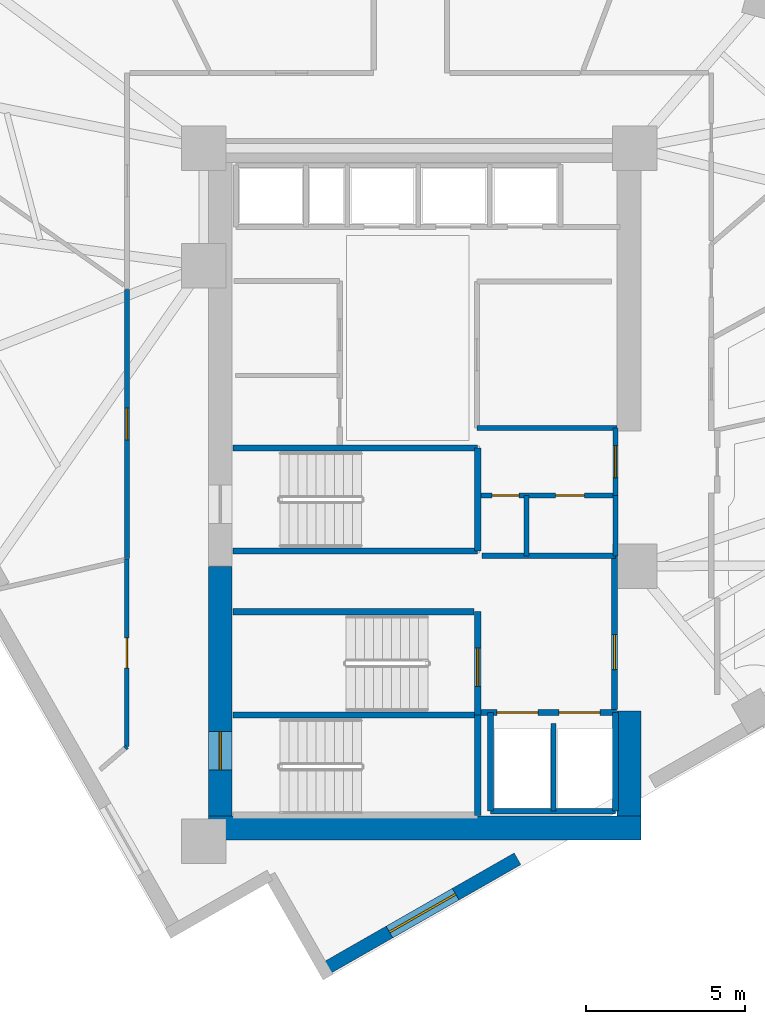
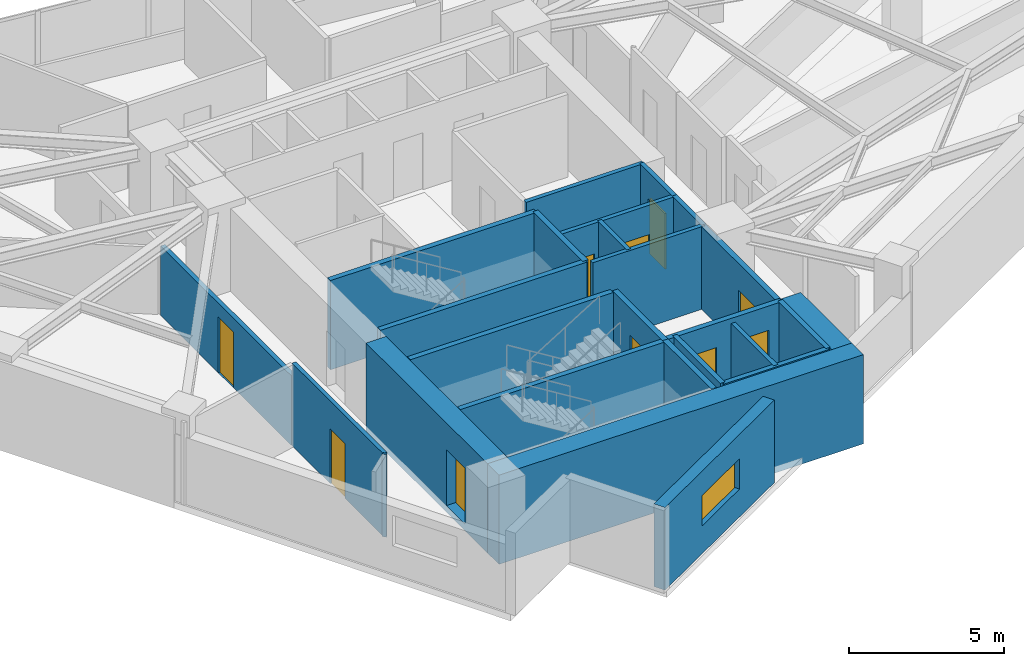
# One storey, part 9 of 14: 26 walls, 10 doors, 1 window, 11 openings.
"""IFC4 building model written with IfcOpenShell, lengths in metres."""

from ifc_helpers import new_model, si_unit, direction, frame, frame_2d, origin, place, context, subcontext, project, spatial, rectangle, extrude, material, layer, layer_set, type_object, element, fill, save


model = new_model("IFC4")

# Units and contexts
model_context = context("Model", 3, precision=1e-05, world=origin(), true_north=direction((0.0, 1.0)))
body_context = subcontext(model_context, "Body", "Model", "MODEL_VIEW")
ifc_project = project(units=[si_unit("LENGTHUNIT", "METRE"), si_unit("AREAUNIT", "SQUARE_METRE"), si_unit("VOLUMEUNIT", "CUBIC_METRE"), si_unit("PLANEANGLEUNIT", "RADIAN"), si_unit("MASSUNIT", "GRAM", prefix="KILO")], contexts=[model_context])

# Site, building, storey
site_placement = place(None, origin())
site = spatial("IfcSite", under=ifc_project, at=site_placement, CompositionType="ELEMENT")
building_placement = place(site_placement, origin())
building = spatial("IfcBuilding", under=site, at=building_placement, Name="Narakoshi Arena Tower", CompositionType="ELEMENT")
storey_placement = place(building_placement, frame((0.0, 0.0, 214.97998046875)))
storey = spatial("IfcBuildingStorey", under=building, at=storey_placement, Name="L58", CompositionType="ELEMENT", Elevation=214.97998046875)

# Wall, opening, door
ifc_material_1 = material(Name="Concrete C50/60", Category="concrete")
ifc_layer_1 = layer(ifc_material_1, 0.75)
ifc_layer_set_1 = layer_set([ifc_layer_1], Name="Concrete C50/60")
wall_type_1 = type_object("IfcWallType", Name="WL-CORE-750", PredefinedType="SHEAR", material=ifc_layer_set_1)
wall_1_placement = place(storey_placement, frame((72.52490234375, 35.5, -0.260009765625), z_axis=(0.0, 0.0, 1.0), x_axis=(0.0, 1.0, 0.0)))
wall_1 = element("IfcWall", 1, at=wall_1_placement, inside=storey, type_object=wall_type_1, Name="L58 Central Core Shear Wall CW-APX-W", PredefinedType="SHEAR", context=body_context, shape_type="SweptSolid", body=[
    extrude(rectangle(XDim=7.85009765625, YDim=0.75, at=frame_2d((3.925048828125, 0.0))), origin(), (0.0, 0.0, 1.0), 3.52001953125),
])
opening_1_placement = place(wall_1_placement, frame((1.449951171875, 0.0, 0.260009765625)))
opening_1 = element("IfcOpeningElement", 2, at=opening_1_placement, cuts=wall_1, Name="Opening D-03", PredefinedType="OPENING", context=body_context, shape_type="SweptSolid", body=[
    extrude(rectangle(XDim=1.199951171875, YDim=2.199951171875, at=frame_2d((0.60009765625, 1.10009765625))), frame((0.0, 0.385009765625, 0.0), z_axis=(0.0, -1.0, 0.0), x_axis=(1.0, 0.0, 0.0)), (0.0, 0.0, 1.0), 0.77001953125),
])
ifc_material_2 = material(Name="Painted galvanized steel", Category="steel")
door_type_1 = type_object("IfcDoorType", Name="DR-STR-1200", OperationType="NOTDEFINED", PredefinedType="USERDEFINED", material=ifc_material_2)
door_1_placement = place(opening_1_placement, frame((1.199951171875, 0.0, 0.0), z_axis=(0.0, 0.0, 1.0), x_axis=(-1.0, 0.0, 0.0)))
door_1 = element("IfcDoor", 3, at=door_1_placement, inside=storey, type_object=door_type_1, Name="DR-L58-001", ObjectType="EXITDOOR", OperationType="SINGLE_SWING_LEFT", OverallHeight=2.199951171875, OverallWidth=1.199951171875, PredefinedType="USERDEFINED", context=body_context, shape_type="SweptSolid", body=[
    extrude(rectangle(XDim=1.199951171875, YDim=2.199951171875, at=frame_2d((0.60009765625, 1.10009765625))), frame((0.0, 0.02490234375, 0.0), z_axis=(0.0, -1.0, 0.0), x_axis=(1.0, 0.0, 0.0)), (0.0, 0.0, 1.0), 0.050048828125),
])
fill(opening_1, door_1)

# Walls
wall_2_placement = place(storey_placement, frame((72.14990234375, 35.125, -0.260009765625), z_axis=(0.0, 0.0, 1.0), x_axis=(1.0, 0.0, 0.0)))
element("IfcWall", 4, at=wall_2_placement, inside=storey, type_object=wall_type_1, Name="L58 Central Core Shear Wall CW-APX-S", PredefinedType="SHEAR", context=body_context, shape_type="SweptSolid", body=[
    extrude(rectangle(XDim=13.60009765625, YDim=0.75, at=frame_2d((6.800048828125, 0.0))), origin(), (0.0, 0.0, 1.0), 3.52001953125),
])
wall_3_placement = place(storey_placement, frame((85.375, 35.5, -0.260009765625), z_axis=(0.0, 0.0, 1.0), x_axis=(0.0, 1.0, 0.0)))
element("IfcWall", 5, at=wall_3_placement, inside=storey, type_object=wall_type_1, Name="L58 Central Core Shear Wall CW-APX-E", PredefinedType="SHEAR", context=body_context, shape_type="SweptSolid", body=[
    extrude(rectangle(XDim=3.300048828125, YDim=0.75, at=frame_2d((1.64990234375, 0.0))), origin(), (0.0, 0.0, 1.0), 3.52001953125),
])

# Wall, opening, door
ifc_material_3 = material(Name="Gypsum plasterboard fire-rated partition")
ifc_layer_2 = layer(ifc_material_3, 0.1650390625)
ifc_layer_set_2 = layer_set([ifc_layer_2], Name="Gypsum plasterboard fire-rated partition")
wall_type_2 = type_object("IfcWallType", Name="WL-CORR-165", PredefinedType="PARTITIONING", material=ifc_layer_set_2)
wall_4_placement = place(storey_placement, frame((84.949951171875, 45.580078125, 0.0), z_axis=(0.0, 0.0, 1.0), x_axis=(0.0, 1.0, 0.0)))
wall_4 = element("IfcWall", 6, at=wall_4_placement, inside=storey, type_object=wall_type_2, Name="L58 Core Wall CPAS-E", PredefinedType="PARTITIONING", context=body_context, shape_type="SweptSolid", body=[
    extrude(rectangle(XDim=2.119873046875, YDim=0.1650390625, at=frame_2d((1.06005859375, 0.0))), origin(), (0.0, 0.0, 1.0), 3.260009765625),
])
opening_2_placement = place(wall_4_placement, frame((0.56005859375, 0.0, 0.0)))
opening_2 = element("IfcOpeningElement", 7, at=opening_2_placement, cuts=wall_4, Name="Opening D-06", PredefinedType="OPENING", context=body_context, shape_type="SweptSolid", body=[
    extrude(rectangle(XDim=1.0, YDim=2.199951171875, at=frame_2d((0.5, 1.10009765625))), frame((0.0, 0.092529296875, 0.0), z_axis=(0.0, -1.0, 0.0), x_axis=(1.0, 0.0, 0.0)), (0.0, 0.0, 1.0), 0.18505859375),
])
ifc_material_4 = material(Name="Stained oak solid-core timber", Category="wood")
door_type_2 = type_object("IfcDoorType", Name="DR-OFF-1000", OperationType="NOTDEFINED", PredefinedType="DOOR", material=ifc_material_4)
door_2_placement = place(opening_2_placement, frame((1.0, 0.0, 0.0), z_axis=(0.0, 0.0, 1.0), x_axis=(-1.0, 0.0, 0.0)))
door_2 = element("IfcDoor", 8, at=door_2_placement, inside=storey, type_object=door_type_2, Name="DR-L58-007", OperationType="SINGLE_SWING_LEFT", OverallHeight=2.199951171875, OverallWidth=1.0, PredefinedType="DOOR", context=body_context, shape_type="SweptSolid", body=[
    extrude(rectangle(XDim=1.0, YDim=2.199951171875, at=frame_2d((0.5, 1.10009765625))), frame((0.0, 0.02490234375, 0.0), z_axis=(0.0, -1.0, 0.0), x_axis=(1.0, 0.0, 0.0)), (0.0, 0.0, 1.0), 0.050048828125),
])
fill(opening_2, door_2)

wall_5_placement = place(storey_placement, frame((69.588623046875, 52.047119140625, 0.0), z_axis=(0.0, 0.0, 1.0), x_axis=(0.0, -1.0, 0.0)))
wall_5 = element("IfcWall", 9, at=wall_5_placement, inside=storey, type_object=wall_type_2, Name="L58 Corridor Partition 08-1", PredefinedType="PARTITIONING", context=body_context, shape_type="SweptSolid", body=[
    extrude(rectangle(XDim=8.45166015625, YDim=0.1650390625, at=frame_2d((4.225830078125, 0.0))), origin(), (0.0, 0.0, 1.0), 2.7451171875),
])
opening_3_placement = place(wall_5_placement, frame((3.725830078125, 0.0, 0.0)))
opening_3 = element("IfcOpeningElement", 10, at=opening_3_placement, cuts=wall_5, Name="Opening D-06", PredefinedType="OPENING", context=body_context, shape_type="SweptSolid", body=[
    extrude(rectangle(XDim=1.0, YDim=2.199951171875, at=frame_2d((0.5, 1.10009765625))), frame((0.0, 0.092529296875, 0.0), z_axis=(0.0, -1.0, 0.0), x_axis=(1.0, 0.0, 0.0)), (0.0, 0.0, 1.0), 0.18505859375),
])
door_3_placement = place(opening_3_placement, frame((1.0, 0.0, 0.0), z_axis=(0.0, 0.0, 1.0), x_axis=(-1.0, 0.0, 0.0)))
door_3 = element("IfcDoor", 11, at=door_3_placement, inside=storey, type_object=door_type_2, Name="DR-L58-023", OperationType="SINGLE_SWING_LEFT", OverallHeight=2.199951171875, OverallWidth=1.0, PredefinedType="DOOR", context=body_context, shape_type="SweptSolid", body=[
    extrude(rectangle(XDim=1.0, YDim=2.199951171875, at=frame_2d((0.5, 1.10009765625))), frame((0.0, 0.02490234375, 0.0), z_axis=(0.0, -1.0, 0.0), x_axis=(1.0, 0.0, 0.0)), (0.0, 0.0, 1.0), 0.050048828125),
])
fill(opening_3, door_3)

# Wall, opening, window
ifc_material_5 = material(Name="Precast concrete C45/55", Category="concrete")
ifc_layer_3 = layer(ifc_material_5, 0.419921875)
ifc_layer_set_3 = layer_set([ifc_layer_3], Name="Precast concrete C45/55")
wall_type_3 = type_object("IfcWallType", Name="WL-POD-420", PredefinedType="SOLIDWALL", material=ifc_layer_set_3)
wall_6_placement = place(storey_placement, frame((75.779296875, 30.6689453125, 0.0), z_axis=(0.0, 0.0, 1.0), x_axis=(0.868213158215, 0.496191406519, 0.0)))
wall_6 = element("IfcWall", 12, at=wall_6_placement, inside=storey, type_object=wall_type_3, Name="L58 Architectural Concrete Facade Wall LEGA-1", PredefinedType="SOLIDWALL", context=body_context, shape_type="SweptSolid", body=[
    extrude(rectangle(XDim=7.015380859375, YDim=0.419921875, at=frame_2d((3.5078125, 0.0))), origin(), (0.0, 0.0, 1.0), 3.260009765625),
])
opening_4_placement = place(wall_6_placement, frame((2.376708984375, 0.0, 1.10009765625)))
opening_4 = element("IfcOpeningElement", 13, at=opening_4_placement, cuts=wall_6, Name="Opening WN-04", PredefinedType="OPENING", context=body_context, shape_type="SweptSolid", body=[
    extrude(rectangle(XDim=2.39990234375, YDim=1.199951171875, at=frame_2d((1.199951171875, 0.60009765625))), frame((0.0, 0.219970703125, 0.0), z_axis=(0.0, -1.0, 0.0), x_axis=(1.0, 0.0, 0.0)), (0.0, 0.0, 1.0), 0.43994140625),
])
ifc_material_6 = material(Name="Bronze-tinted low-E laminated glass", Category="glass")
window_type = type_object("IfcWindowType", Name="WIN-SLT-24x12", PartitioningType="SINGLE_PANEL", PredefinedType="WINDOW", material=ifc_material_6)
window_placement = place(opening_4_placement, origin())
window = element("IfcWindow", 14, at=window_placement, inside=storey, type_object=window_type, Name="L58 LEGA1 Horizontal Slot Window 1", OverallHeight=1.199951171875, OverallWidth=2.39990234375, PartitioningType="SINGLE_PANEL", PredefinedType="WINDOW", context=body_context, shape_type="SweptSolid", body=[
    extrude(rectangle(XDim=2.39990234375, YDim=1.199951171875, at=frame_2d((1.199951171875, 0.60009765625))), frame((0.0, 0.030029296875, 0.0), z_axis=(0.0, -1.0, 0.0), x_axis=(1.0, 0.0, 0.0)), (0.0, 0.0, 1.0), 0.06005859375),
])
fill(opening_4, window)

# Walls
ifc_material_7 = material(Name="Concrete C40/50", Category="concrete")
ifc_layer_4 = layer(ifc_material_7, 0.280029296875)
ifc_layer_set_4 = layer_set([ifc_layer_4], Name="Concrete C40/50")
wall_type_4 = type_object("IfcWallType", Name="WL-RISER-280", PredefinedType="PLUMBINGWALL", material=ifc_layer_set_4)
wall_7_placement = place(storey_placement, frame((83.0, 35.64990234375, 0.0), z_axis=(0.0, 0.0, 1.0), x_axis=(0.0, 1.0, 0.0)))
element("IfcWall", 15, at=wall_7_placement, inside=storey, type_object=wall_type_4, Name="L58 Core Wall FF-DIV", PredefinedType="PLUMBINGWALL", context=body_context, shape_type="SweptSolid", body=[
    extrude(rectangle(XDim=2.75, YDim=0.159912109375, at=frame_2d((1.375, 0.0))), origin(), (0.0, 0.0, 1.0), 3.260009765625),
])
wall_8_placement = place(storey_placement, frame((84.949951171875, 43.679931640625, 0.0), z_axis=(0.0, 0.0, 1.0), x_axis=(0.0, 1.0, 0.0)))
element("IfcWall", 16, at=wall_8_placement, inside=storey, type_object=wall_type_4, Name="L58 Core Wall RSR-E", PredefinedType="PLUMBINGWALL", context=body_context, shape_type="SweptSolid", body=[
    extrude(rectangle(XDim=1.900146484375, YDim=0.1650390625, at=frame_2d((0.9501953125, 0.0))), origin(), (0.0, 0.0, 1.0), 3.260009765625),
])

# Wall, openings, doors
wall_9_placement = place(storey_placement, frame((80.719970703125, 45.580078125, 0.0), z_axis=(0.0, 0.0, 1.0), x_axis=(1.0, 0.0, 0.0)))
wall_9 = element("IfcWall", 17, at=wall_9_placement, inside=storey, type_object=wall_type_4, Name="L58 Core Wall RSR-N", PredefinedType="PLUMBINGWALL", context=body_context, shape_type="SweptSolid", body=[
    extrude(rectangle(XDim=4.22998046875, YDim=0.159912109375, at=frame_2d((2.114990234375, 0.0))), origin(), (0.0, 0.0, 1.0), 3.260009765625),
])
opening_5_placement = place(wall_9_placement, frame((0.35009765625, 0.0, 0.0)))
opening_5 = element("IfcOpeningElement", 18, at=opening_5_placement, cuts=wall_9, Name="Opening D-10", PredefinedType="OPENING", context=body_context, shape_type="SweptSolid", body=[
    extrude(rectangle(XDim=0.85009765625, YDim=2.050048828125, at=frame_2d((0.425048828125, 1.02490234375))), frame((0.0, 0.08984375, 0.0), z_axis=(0.0, -1.0, 0.0), x_axis=(1.0, 0.0, 0.0)), (0.0, 0.0, 1.0), 0.179931640625),
])
opening_6_placement = place(wall_9_placement, frame((2.35009765625, 0.0, 0.0)))
opening_6 = element("IfcOpeningElement", 19, at=opening_6_placement, cuts=wall_9, Name="Opening D-08", PredefinedType="OPENING", context=body_context, shape_type="SweptSolid", body=[
    extrude(rectangle(XDim=0.89990234375, YDim=2.10009765625, at=frame_2d((0.449951171875, 1.050048828125))), frame((0.0, 0.08984375, 0.0), z_axis=(0.0, -1.0, 0.0), x_axis=(1.0, 0.0, 0.0)), (0.0, 0.0, 1.0), 0.179931640625),
])
door_type_3 = type_object("IfcDoorType", Name="DR-RSR-850", OperationType="NOTDEFINED", PredefinedType="DOOR", material=ifc_material_2)
door_4_placement = place(opening_5_placement, frame((0.85009765625, 0.0, 0.0), z_axis=(0.0, 0.0, 1.0), x_axis=(-1.0, 0.0, 0.0)))
door_4 = element("IfcDoor", 20, at=door_4_placement, inside=storey, type_object=door_type_3, Name="DR-L58-008", OperationType="SINGLE_SWING_LEFT", OverallHeight=2.050048828125, OverallWidth=0.85009765625, PredefinedType="DOOR", context=body_context, shape_type="SweptSolid", body=[
    extrude(rectangle(XDim=0.85009765625, YDim=2.050048828125, at=frame_2d((0.425048828125, 1.02490234375))), frame((0.0, 0.02490234375, 0.0), z_axis=(0.0, -1.0, 0.0), x_axis=(1.0, 0.0, 0.0)), (0.0, 0.0, 1.0), 0.050048828125),
])
fill(opening_5, door_4)
ifc_material_8 = material(Name="Moisture-resistant laminate timber", Category="wood")
door_type_4 = type_object("IfcDoorType", Name="DR-WC-900", OperationType="NOTDEFINED", PredefinedType="DOOR", material=ifc_material_8)
door_5_placement = place(opening_6_placement, frame((0.89990234375, 0.0, 0.0), z_axis=(0.0, 0.0, 1.0), x_axis=(-1.0, 0.0, 0.0)))
door_5 = element("IfcDoor", 21, at=door_5_placement, inside=storey, type_object=door_type_4, Name="DR-L58-009", OperationType="SINGLE_SWING_RIGHT", OverallHeight=2.10009765625, OverallWidth=0.89990234375, PredefinedType="DOOR", context=body_context, shape_type="SweptSolid", body=[
    extrude(rectangle(XDim=0.89990234375, YDim=2.10009765625, at=frame_2d((0.449951171875, 1.050048828125))), frame((0.0, 0.02490234375, 0.0), z_axis=(0.0, -1.0, 0.0), x_axis=(1.0, 0.0, 0.0)), (0.0, 0.0, 1.0), 0.050048828125),
])
fill(opening_6, door_5)

# Walls
wall_10_placement = place(storey_placement, frame((80.760009765625, 43.679931640625, 0.0), z_axis=(0.0, 0.0, 1.0), x_axis=(1.0, 0.0, 0.0)))
element("IfcWall", 22, at=wall_10_placement, inside=storey, type_object=wall_type_4, Name="L58 Core Wall RSR-S", PredefinedType="PLUMBINGWALL", context=body_context, shape_type="SweptSolid", body=[
    extrude(rectangle(XDim=4.18994140625, YDim=0.159912109375, at=frame_2d((2.094970703125, 0.0))), origin(), (0.0, 0.0, 1.0), 3.260009765625),
])
wall_11_placement = place(storey_placement, frame((82.14990234375, 43.679931640625, 0.0), z_axis=(0.0, 0.0, 1.0), x_axis=(0.0, 1.0, 0.0)))
element("IfcWall", 23, at=wall_11_placement, inside=storey, type_object=wall_type_4, Name="L58 Core Wall RSR-M", PredefinedType="PLUMBINGWALL", context=body_context, shape_type="SweptSolid", body=[
    extrude(rectangle(XDim=1.900146484375, YDim=0.159912109375, at=frame_2d((0.9501953125, 0.0))), origin(), (0.0, 0.0, 1.0), 3.260009765625),
])
ifc_layer_5 = layer(ifc_material_1, 0.35009765625)
ifc_layer_set_5 = layer_set([ifc_layer_5], Name="Concrete C50/60")
wall_type_5 = type_object("IfcWallType", Name="WL-SHAFT-350", PredefinedType="SOLIDWALL", material=ifc_layer_set_5)
wall_12_placement = place(storey_placement, frame((72.919921875, 38.675048828125, -0.260009765625), z_axis=(0.0, 0.0, 1.0), x_axis=(1.0, 0.0, 0.0)))
element("IfcWall", 24, at=wall_12_placement, inside=storey, type_object=wall_type_5, Name="L58 Core Wall ST12-DIV", PredefinedType="SOLIDWALL", context=body_context, shape_type="SweptSolid", body=[
    extrude(rectangle(XDim=7.7001953125, YDim=0.199951171875, at=frame_2d((3.85009765625, 0.0))), origin(), (0.0, 0.0, 1.0), 3.52001953125),
])
wall_13_placement = place(storey_placement, frame((80.6201171875, 35.52001953125, -0.260009765625), z_axis=(0.0, 0.0, 1.0), x_axis=(0.0, 1.0, 0.0)))
element("IfcWall", 25, at=wall_13_placement, inside=storey, type_object=wall_type_5, Name="L58 Core Wall ST1-E", PredefinedType="SOLIDWALL", context=body_context, shape_type="SweptSolid", body=[
    extrude(rectangle(XDim=3.155029296875, YDim=0.199951171875, at=frame_2d((1.57763671875, 0.0))), origin(), (0.0, 0.0, 1.0), 3.52001953125),
])

# Wall, opening, door
wall_14_placement = place(storey_placement, frame((80.6201171875, 38.675048828125, -0.260009765625), z_axis=(0.0, 0.0, 1.0), x_axis=(0.0, 1.0, 0.0)))
wall_14 = element("IfcWall", 26, at=wall_14_placement, inside=storey, type_object=wall_type_5, Name="L58 Core Wall ST2-E", PredefinedType="SOLIDWALL", context=body_context, shape_type="SweptSolid", body=[
    extrude(rectangle(XDim=3.244873046875, YDim=0.199951171875, at=frame_2d((1.62255859375, 0.0))), origin(), (0.0, 0.0, 1.0), 3.52001953125),
])
opening_7_placement = place(wall_14_placement, frame((0.89990234375, 0.0, 0.260009765625)))
opening_7 = element("IfcOpeningElement", 27, at=opening_7_placement, cuts=wall_14, Name="Opening D-03", PredefinedType="OPENING", context=body_context, shape_type="SweptSolid", body=[
    extrude(rectangle(XDim=1.199951171875, YDim=2.199951171875, at=frame_2d((0.60009765625, 1.10009765625))), frame((0.0, 0.10986328125, 0.0), z_axis=(0.0, -1.0, 0.0), x_axis=(1.0, 0.0, 0.0)), (0.0, 0.0, 1.0), 0.219970703125),
])
door_6_placement = place(opening_7_placement, origin())
door_6 = element("IfcDoor", 28, at=door_6_placement, inside=storey, type_object=door_type_1, Name="DR-L58-002", ObjectType="EXITDOOR", OperationType="SINGLE_SWING_RIGHT", OverallHeight=2.199951171875, OverallWidth=1.199951171875, PredefinedType="USERDEFINED", context=body_context, shape_type="SweptSolid", body=[
    extrude(rectangle(XDim=1.199951171875, YDim=2.199951171875, at=frame_2d((0.60009765625, 1.10009765625))), frame((0.0, 0.02490234375, 0.0), z_axis=(0.0, -1.0, 0.0), x_axis=(1.0, 0.0, 0.0)), (0.0, 0.0, 1.0), 0.050048828125),
])
fill(opening_7, door_6)

# Wall, openings, doors
wall_15_placement = place(storey_placement, frame((80.719970703125, 38.75, 0.0), z_axis=(0.0, 0.0, 1.0), x_axis=(1.0, 0.0, 0.0)))
wall_15 = element("IfcWall", 29, at=wall_15_placement, inside=storey, type_object=wall_type_5, Name="L58 Core Wall FF-N", PredefinedType="SOLIDWALL", context=body_context, shape_type="SweptSolid", body=[
    extrude(rectangle(XDim=4.260009765625, YDim=0.199951171875, at=frame_2d((2.1298828125, 0.0))), origin(), (0.0, 0.0, 1.0), 3.260009765625),
])
opening_8_placement = place(wall_15_placement, frame((0.5, 0.0, 0.0)))
opening_8 = element("IfcOpeningElement", 30, at=opening_8_placement, cuts=wall_15, Name="Opening LD-02", PredefinedType="OPENING", context=body_context, shape_type="SweptSolid", body=[
    extrude(rectangle(XDim=1.300048828125, YDim=2.300048828125, at=frame_2d((0.64990234375, 1.14990234375))), frame((0.0, 0.10986328125, 0.0), z_axis=(0.0, -1.0, 0.0), x_axis=(1.0, 0.0, 0.0)), (0.0, 0.0, 1.0), 0.219970703125),
])
opening_9_placement = place(wall_15_placement, frame((2.449951171875, 0.0, 0.0)))
opening_9 = element("IfcOpeningElement", 31, at=opening_9_placement, cuts=wall_15, Name="Opening LD-02", PredefinedType="OPENING", context=body_context, shape_type="SweptSolid", body=[
    extrude(rectangle(XDim=1.300048828125, YDim=2.300048828125, at=frame_2d((0.64990234375, 1.14990234375))), frame((0.0, 0.10986328125, 0.0), z_axis=(0.0, -1.0, 0.0), x_axis=(1.0, 0.0, 0.0)), (0.0, 0.0, 1.0), 0.219970703125),
])
ifc_material_9 = material(Name="Brushed bronze stainless steel", Category="steel")
door_type_5 = type_object("IfcDoorType", Name="DR-LFT-1300", OperationType="DOUBLE_DOOR_SLIDING", PredefinedType="DOOR", material=ifc_material_9)
door_7_placement = place(opening_8_placement, origin())
door_7 = element("IfcDoor", 32, at=door_7_placement, inside=storey, type_object=door_type_5, Name="DR-L58-003", OperationType="DOUBLE_DOOR_SLIDING", OverallHeight=2.300048828125, OverallWidth=1.300048828125, PredefinedType="DOOR", context=body_context, shape_type="SweptSolid", body=[
    extrude(rectangle(XDim=1.300048828125, YDim=2.300048828125, at=frame_2d((0.64990234375, 1.14990234375))), frame((0.0, 0.02490234375, 0.0), z_axis=(0.0, -1.0, 0.0), x_axis=(1.0, 0.0, 0.0)), (0.0, 0.0, 1.0), 0.050048828125),
])
fill(opening_8, door_7)
door_8_placement = place(opening_9_placement, origin())
door_8 = element("IfcDoor", 33, at=door_8_placement, inside=storey, type_object=door_type_5, Name="DR-L58-004", OperationType="DOUBLE_DOOR_SLIDING", OverallHeight=2.300048828125, OverallWidth=1.300048828125, PredefinedType="DOOR", context=body_context, shape_type="SweptSolid", body=[
    extrude(rectangle(XDim=1.300048828125, YDim=2.300048828125, at=frame_2d((0.64990234375, 1.14990234375))), frame((0.0, 0.02490234375, 0.0), z_axis=(0.0, -1.0, 0.0), x_axis=(1.0, 0.0, 0.0)), (0.0, 0.0, 1.0), 0.050048828125),
])
fill(opening_9, door_8)

# Walls
for number, where, z_axis, x_axis, name in (
    (34, (84.949951171875, 35.64990234375, 0.0), (0.0, 0.0, 1.0), (0.0, 1.0, 0.0), "L58 Core Wall FF-E"),
    (35, (81.02001953125, 35.64990234375, 0.0), (0.0, 0.0, 1.0), (0.0, 1.0, 0.0), "L58 Core Wall FF-W"),
):
    element("IfcWall", number, at=place(storey_placement, frame(where, z_axis=z_axis, x_axis=x_axis)), inside=storey, type_object=wall_type_5, Name=name, PredefinedType="SOLIDWALL", context=body_context, shape_type="SweptSolid", body=[
        extrude(rectangle(XDim=3.10009765625, YDim=0.179931640625, at=frame_2d((1.550048828125, 0.0))), origin(), (0.0, 0.0, 1.0), 3.260009765625),
    ])
wall_16_placement = place(storey_placement, frame((81.02001953125, 35.64990234375, 0.0), z_axis=(0.0, 0.0, 1.0), x_axis=(1.0, 0.0, 0.0)))
element("IfcWall", 36, at=wall_16_placement, inside=storey, type_object=wall_type_5, Name="L58 Core Wall FF-S", PredefinedType="SOLIDWALL", context=body_context, shape_type="SweptSolid", body=[
    extrude(rectangle(XDim=3.929931640625, YDim=0.179931640625, at=frame_2d((1.96484375, 0.0))), origin(), (0.0, 0.0, 1.0), 3.260009765625),
])

# Wall, opening, door
wall_17_placement = place(storey_placement, frame((84.919921875, 38.85009765625, 0.0), z_axis=(0.0, 0.0, 1.0), x_axis=(0.0, 1.0, 0.0)))
wall_17 = element("IfcWall", 37, at=wall_17_placement, inside=storey, type_object=wall_type_5, Name="L58 Core Wall FFLOB-E", PredefinedType="SOLIDWALL", context=body_context, shape_type="SweptSolid", body=[
    extrude(rectangle(XDim=4.829833984375, YDim=0.199951171875, at=frame_2d((2.4150390625, 0.0))), origin(), (0.0, 0.0, 1.0), 3.260009765625),
])
opening_10_placement = place(wall_17_placement, frame((1.25, 0.0, 0.0)))
opening_10 = element("IfcOpeningElement", 38, at=opening_10_placement, cuts=wall_17, Name="Opening D-04", PredefinedType="OPENING", context=body_context, shape_type="SweptSolid", body=[
    extrude(rectangle(XDim=1.10009765625, YDim=2.199951171875, at=frame_2d((0.550048828125, 1.10009765625))), frame((0.0, 0.10986328125, 0.0), z_axis=(0.0, -1.0, 0.0), x_axis=(1.0, 0.0, 0.0)), (0.0, 0.0, 1.0), 0.219970703125),
])
door_type_6 = type_object("IfcDoorType", Name="DR-FFL-1100", OperationType="NOTDEFINED", PredefinedType="DOOR", material=ifc_material_2)
door_9_placement = place(opening_10_placement, frame((1.10009765625, 0.0, 0.0), z_axis=(0.0, 0.0, 1.0), x_axis=(-1.0, 0.0, 0.0)))
door_9 = element("IfcDoor", 39, at=door_9_placement, inside=storey, type_object=door_type_6, Name="DR-L58-005", OperationType="SINGLE_SWING_RIGHT", OverallHeight=2.199951171875, OverallWidth=1.10009765625, PredefinedType="DOOR", context=body_context, shape_type="SweptSolid", body=[
    extrude(rectangle(XDim=1.10009765625, YDim=2.199951171875, at=frame_2d((0.550048828125, 1.10009765625))), frame((0.0, 0.02490234375, 0.0), z_axis=(0.0, -1.0, 0.0), x_axis=(1.0, 0.0, 0.0)), (0.0, 0.0, 1.0), 0.050048828125),
])
fill(opening_10, door_9)

# Walls
wall_18_placement = place(storey_placement, frame((72.919921875, 41.919921875, -0.260009765625), z_axis=(0.0, 0.0, 1.0), x_axis=(1.0, 0.0, 0.0)))
element("IfcWall", 40, at=wall_18_placement, inside=storey, type_object=wall_type_5, Name="L58 Core Wall ST2-N", PredefinedType="SOLIDWALL", context=body_context, shape_type="SweptSolid", body=[
    extrude(rectangle(XDim=7.580078125, YDim=0.199951171875, at=frame_2d((3.7900390625, 0.0))), origin(), (0.0, 0.0, 1.0), 3.52001953125),
])
for number, where, z_axis, x_axis, name in (
    (41, (72.919921875, 43.830078125, -0.260009765625), (0.0, 0.0, 1.0), (1.0, 0.0, 0.0), "L58 Core Wall ST3-S"),
    (42, (72.919921875, 47.070068359375, -0.260009765625), (0.0, 0.0, 1.0), (1.0, 0.0, 0.0), "L58 Core Wall ST3-N"),
):
    element("IfcWall", number, at=place(storey_placement, frame(where, z_axis=z_axis, x_axis=x_axis)), inside=storey, type_object=wall_type_5, Name=name, PredefinedType="SOLIDWALL", context=body_context, shape_type="SweptSolid", body=[
        extrude(rectangle(XDim=7.7001953125, YDim=0.199951171875, at=frame_2d((3.85009765625, 0.0))), origin(), (0.0, 0.0, 1.0), 3.52001953125),
    ])
wall_19_placement = place(storey_placement, frame((80.6201171875, 43.830078125, -0.260009765625), z_axis=(0.0, 0.0, 1.0), x_axis=(0.0, 1.0, 0.0)))
element("IfcWall", 43, at=wall_19_placement, inside=storey, type_object=wall_type_5, Name="L58 Core Wall ST3-E", PredefinedType="SOLIDWALL", context=body_context, shape_type="SweptSolid", body=[
    extrude(rectangle(XDim=3.239990234375, YDim=0.199951171875, at=frame_2d((1.6201171875, 0.0))), origin(), (0.0, 0.0, 1.0), 3.52001953125),
])
wall_20_placement = place(storey_placement, frame((80.60009765625, 47.699951171875, 0.0), z_axis=(0.0, 0.0, 1.0), x_axis=(1.0, 0.0, 0.0)))
element("IfcWall", 44, at=wall_20_placement, inside=storey, type_object=wall_type_5, Name="L58 Core Wall MR-S", PredefinedType="SOLIDWALL", context=body_context, shape_type="SweptSolid", body=[
    extrude(rectangle(XDim=4.39990234375, YDim=0.159912109375, at=frame_2d((2.199951171875, 0.0))), origin(), (0.0, 0.0, 1.0), 3.260009765625),
])

# Wall, opening, door
ifc_material_10 = material(Name="Moisture-resistant cement-board partition")
ifc_layer_6 = layer(ifc_material_10, 0.14501953125)
ifc_layer_set_6 = layer_set([ifc_layer_6], Name="Moisture-resistant cement-board partition")
wall_type_6 = type_object("IfcWallType", Name="WL-WET-145", PredefinedType="PARTITIONING", material=ifc_layer_set_6)
wall_21_placement = place(storey_placement, frame((69.588623046875, 43.57080078125, 0.0), z_axis=(0.0, 0.0, 1.0), x_axis=(0.0, -1.0, 0.0)))
wall_21 = element("IfcWall", 45, at=wall_21_placement, inside=storey, type_object=wall_type_6, Name="L58 Corridor Partition 01-1", PredefinedType="PARTITIONING", context=body_context, shape_type="SweptSolid", body=[
    extrude(rectangle(XDim=5.89208984375, YDim=0.14501953125, at=frame_2d((2.946044921875, 0.0))), origin(), (0.0, 0.0, 1.0), 3.260009765625),
])
opening_11_placement = place(wall_21_placement, frame((2.470947265625, 0.0, 0.0)))
opening_11 = element("IfcOpeningElement", 46, at=opening_11_placement, cuts=wall_21, Name="Opening D-07", PredefinedType="OPENING", context=body_context, shape_type="SweptSolid", body=[
    extrude(rectangle(XDim=0.949951171875, YDim=2.14990234375, at=frame_2d((0.47509765625, 1.074951171875))), frame((0.0, 0.08251953125, 0.0), z_axis=(0.0, -1.0, 0.0), x_axis=(1.0, 0.0, 0.0)), (0.0, 0.0, 1.0), 0.1650390625),
])
door_type_7 = type_object("IfcDoorType", Name="DR-ACC-950", OperationType="NOTDEFINED", PredefinedType="DOOR", material=ifc_material_4)
door_10_placement = place(opening_11_placement, frame((0.949951171875, 0.0, 0.0), z_axis=(0.0, 0.0, 1.0), x_axis=(-1.0, 0.0, 0.0)))
door_10 = element("IfcDoor", 47, at=door_10_placement, inside=storey, type_object=door_type_7, Name="DR-L58-016", OperationType="SINGLE_SWING_LEFT", OverallHeight=2.14990234375, OverallWidth=0.949951171875, PredefinedType="DOOR", context=body_context, shape_type="SweptSolid", body=[
    extrude(rectangle(XDim=0.949951171875, YDim=2.14990234375, at=frame_2d((0.47509765625, 1.074951171875))), frame((0.0, 0.02490234375, 0.0), z_axis=(0.0, -1.0, 0.0), x_axis=(1.0, 0.0, 0.0)), (0.0, 0.0, 1.0), 0.050048828125),
])
fill(opening_11, door_10)

# Wall
wall_22_placement = place(storey_placement, frame((69.588623046875, 37.6787109375, 0.0), z_axis=(0.0, 0.0, 1.0), x_axis=(-0.759038758193, -0.651045438938, 0.0)))
element("IfcWall", 48, at=wall_22_placement, inside=storey, type_object=wall_type_6, Name="L58 Corridor Partition 01-2", PredefinedType="PARTITIONING", context=body_context, shape_type="SweptSolid", body=[
    extrude(rectangle(XDim=0.0791015625, YDim=0.14501953125, at=frame_2d((0.03955078125, 0.0))), origin(), (0.0, 0.0, 1.0), 3.260009765625),
])

save(model, "model.ifc")
